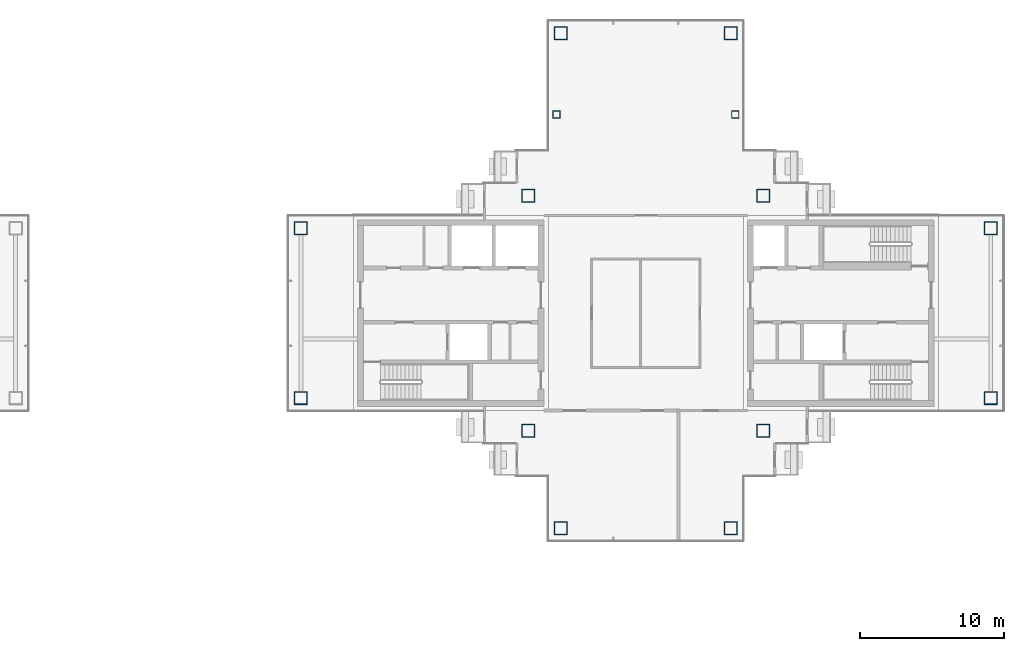
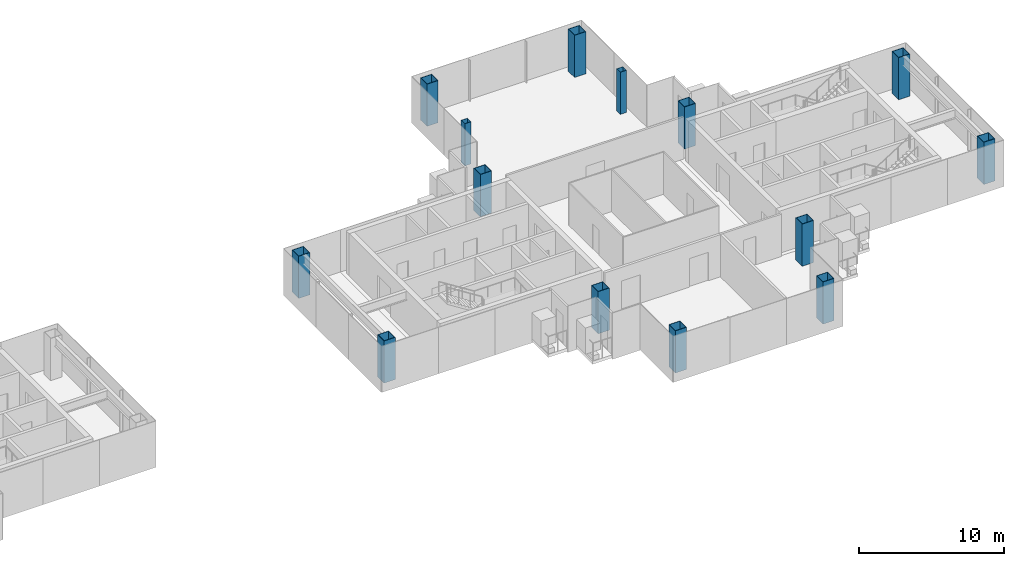
# One storey, part 2 of 16: 14 columns.
"""IFC4 building model written with IfcOpenShell, lengths in metres."""

from ifc_helpers import new_model, si_unit, direction, frame, origin, origin_2d, place, context, subcontext, project, spatial, hollow_rectangle, extrude, material, material_profile, profile_set, type_object, element, save


model = new_model("IFC4")

# Units and contexts
model_context = context("Model", 3, precision=1e-05, world=origin(), true_north=direction((0.0, 1.0)))
body_context = subcontext(model_context, "Body", "Model", "MODEL_VIEW")
ifc_project = project(units=[si_unit("LENGTHUNIT", "METRE"), si_unit("AREAUNIT", "SQUARE_METRE"), si_unit("VOLUMEUNIT", "CUBIC_METRE"), si_unit("PLANEANGLEUNIT", "RADIAN"), si_unit("MASSUNIT", "GRAM", prefix="KILO")], contexts=[model_context])

# Site, building, storey
site_placement = place(None, origin())
site = spatial("IfcSite", under=ifc_project, at=site_placement, CompositionType="ELEMENT")
building_placement = place(site_placement, origin())
building = spatial("IfcBuilding", under=site, at=building_placement, Name="Shamsa Quay Exchange Towers", CompositionType="ELEMENT")
storey_placement = place(building_placement, frame((0.0, 0.0, 246.0)))
storey = spatial("IfcBuildingStorey", under=building, at=storey_placement, Name="L59", CompositionType="ELEMENT", Elevation=246.0)

# Columns
ifc_material_1 = material(Name="Concrete-filled steel tube S355 / C60/75", Category="concrete")
ifc_material_profile_1 = material_profile(ifc_material_1, hollow_rectangle(XDim=0.5, YDim=0.5, WallThickness=0.01611328125, at=origin_2d()), Name="CFT 500x500x16")
ifc_profile_set_1 = profile_set([ifc_material_profile_1], Name="Concrete-filled steel tube S355 / C60/75")
column_type_1 = type_object("IfcColumnType", Name="Column CFT 500x500x16", PredefinedType="COLUMN", material=ifc_profile_set_1)
for number, where, name in (
    (1, (39.9375, 13.75, 0.0), "Perimeter column T2-CP05"),
    (2, (27.5625, 13.75, 0.0), "Perimeter column T2-CP09"),
):
    element("IfcColumn", number, at=place(storey_placement, frame(where)), inside=storey, type_object=column_type_1, Name=name, PredefinedType="COLUMN", context=body_context, shape_type="SweptSolid", body=[
        extrude(hollow_rectangle(XDim=0.5, YDim=0.5, WallThickness=0.01611328125, at=origin_2d()), origin(), (0.0, 0.0, 1.0), 3.550048828125),
    ])
ifc_material_2 = material(Name="Concrete-filled steel tube S355 / C80/95", Category="concrete")
ifc_material_profile_2 = material_profile(ifc_material_2, hollow_rectangle(XDim=0.89990234375, YDim=0.89990234375, WallThickness=0.035888671875, at=origin_2d()), Name="CFT 900x900x36")
ifc_profile_set_2 = profile_set([ifc_material_profile_2], Name="Concrete-filled steel tube S355 / C80/95")
column_type_2 = type_object("IfcColumnType", Name="Column CFT 900x900x36", PredefinedType="COLUMN", material=ifc_profile_set_2)
for number, where, name in (
    (3, (25.625, 8.125, 0.0), "Mega column T2-CM01"),
    (4, (41.875, 8.125, 0.0), "Mega column T2-CM02"),
    (5, (25.625, -8.125, 0.0), "Mega column T2-CM03"),
    (6, (41.875, -8.125, 0.0), "Mega column T2-CM04"),
    (7, (39.625, 19.375, 0.0), "Mega column T2-CM06"),
    (8, (27.875, 19.375, 0.0), "Mega column T2-CM10"),
    (9, (39.625, -14.875, 0.0), "Mega column T2-CM13"),
    (10, (27.875, -14.875, 0.0), "Mega column T2-CM16"),
    (11, (9.875, -5.875, 0.0), "Mega column T2-CM19"),
    (12, (9.875, 5.875, 0.0), "Mega column T2-CM20"),
    (13, (57.625, -5.875, 0.0), "Mega column T2-CM21"),
    (14, (57.625, 5.875, 0.0), "Mega column T2-CM23"),
):
    element("IfcColumn", number, at=place(storey_placement, frame(where)), inside=storey, type_object=column_type_2, Name=name, PredefinedType="COLUMN", context=body_context, shape_type="SweptSolid", body=[
        extrude(hollow_rectangle(XDim=0.89990234375, YDim=0.89990234375, WallThickness=0.035888671875, at=origin_2d()), origin(), (0.0, 0.0, 1.0), 3.550048828125),
    ])

save(model, "model.ifc")
